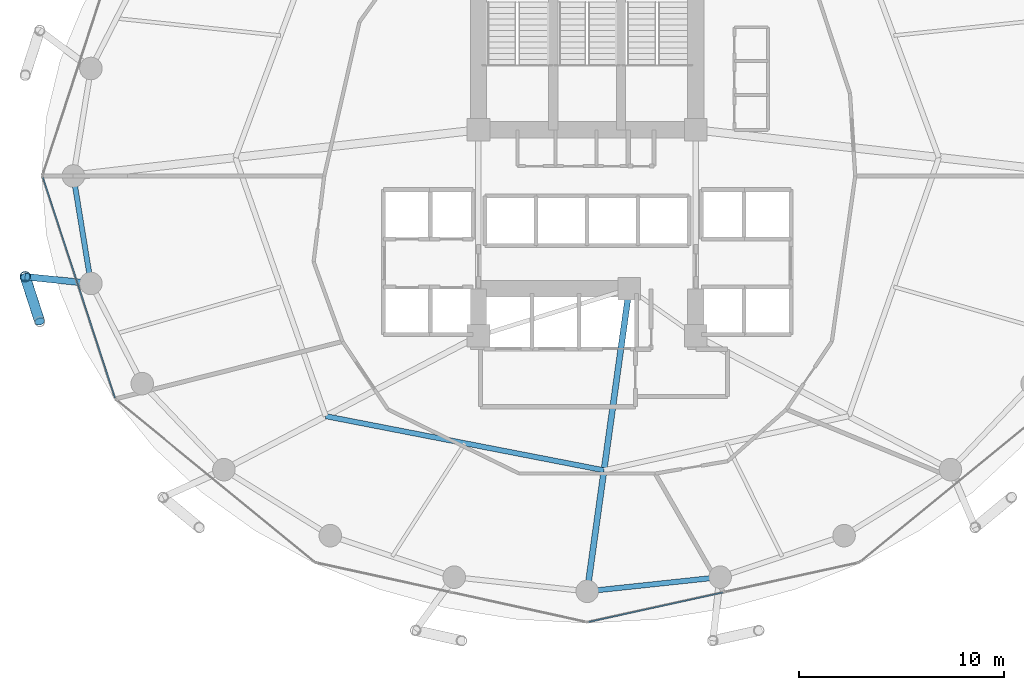
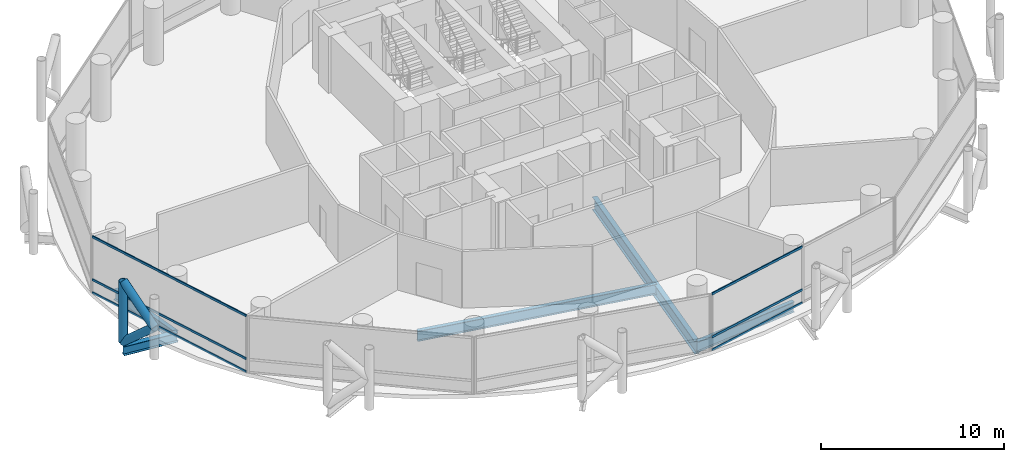
# One storey, part 5 of 24: 9 members, 5 beams, 2 elements without a shape of their own.
"""IFC4 building model written with IfcOpenShell, lengths in metres."""

from ifc_helpers import new_model, si_unit, direction, frame, origin, origin_2d, place, context, subcontext, project, spatial, hollow_rectangle, hollow_circle, i_section, extrude, material, layer, layer_set, material_profile, profile_set, type_object, element, aggregate, save


model = new_model("IFC4")

# Units and contexts
model_context = context("Model", 3, precision=1e-05, world=origin(), true_north=direction((0.0, 1.0)))
body_context = subcontext(model_context, "Body", "Model", "MODEL_VIEW")
ifc_project = project(units=[si_unit("LENGTHUNIT", "METRE"), si_unit("AREAUNIT", "SQUARE_METRE"), si_unit("VOLUMEUNIT", "CUBIC_METRE"), si_unit("PLANEANGLEUNIT", "RADIAN"), si_unit("MASSUNIT", "GRAM", prefix="KILO")], contexts=[model_context])

# Site, building, storey
site_placement = place(None, origin())
site = spatial("IfcSite", under=ifc_project, at=site_placement, CompositionType="ELEMENT")
building_placement = place(site_placement, origin())
building = spatial("IfcBuilding", under=site, at=building_placement, Name="Nuhasar Tower", CompositionType="ELEMENT")
storey_placement = place(building_placement, frame((0.0, 0.0, 25.050048828125)))
storey = spatial("IfcBuildingStorey", under=building, at=storey_placement, Name="L05", CompositionType="ELEMENT", Elevation=25.050048828125)

# Beams
ifc_material_1 = material(Name="Steel S355", Category="steel")
ifc_material_profile_1 = material_profile(ifc_material_1, i_section(OverallWidth=0.25390625, OverallDepth=0.68408203125, WebThickness=0.012451171875, FlangeThickness=0.018798828125, at=origin_2d()), Name="W27X94")
ifc_profile_set_1 = profile_set([ifc_material_profile_1], Name="Steel S355")
beam_type_1 = type_object("IfcBeamType", Name="BM-INRING-W27X94", PredefinedType="BEAM", material=ifc_profile_set_1)
beam_1_placement = place(storey_placement, frame((26.251953125, 15.089111328125, -0.60205078125), z_axis=(0.981602977761, -0.190933480695, 0.0), x_axis=(0.190933480695, 0.981602977761, 0.0)))
element("IfcBeam", 1, at=beam_1_placement, inside=storey, type_object=beam_type_1, Name="L05 Inner Header Beam 01", PredefinedType="BEAM", context=body_context, shape_type="SweptSolid", body=[
    extrude(i_section(OverallWidth=0.25390625, OverallDepth=0.68408203125, WebThickness=0.012451171875, FlangeThickness=0.018798828125, at=origin_2d()), origin(), (0.0, 0.0, 1.0), 13.822509765625),
])
ifc_material_profile_2 = material_profile(ifc_material_1, i_section(OverallWidth=0.2919921875, OverallDepth=0.85888671875, WebThickness=0.01708984375, FlangeThickness=0.031005859375, at=origin_2d()), Name="W33X169")
ifc_profile_set_2 = profile_set([ifc_material_profile_2], Name="Steel S355")
beam_type_2 = type_object("IfcBeamType", Name="BM-POD-W33X169", PredefinedType="BEAM", material=ifc_profile_set_2)
beam_2_placement = place(storey_placement, frame((41.050048828125, 21.300048828125, -0.68994140625), z_axis=(-0.137663087856, -0.990479113481, 0.0), x_axis=(0.990479113481, -0.137663087856, 0.0)))
element("IfcBeam", 2, at=beam_2_placement, inside=storey, type_object=beam_type_2, Name="L05 Radial Floor Girder 02", PredefinedType="BEAM", context=body_context, shape_type="SweptSolid", body=[
    extrude(i_section(OverallWidth=0.2919921875, OverallDepth=0.85888671875, WebThickness=0.01708984375, FlangeThickness=0.031005859375, at=origin_2d()), origin(), (0.0, 0.0, 1.0), 14.891845703125),
])
ifc_material_profile_3 = material_profile(ifc_material_1, i_section(OverallWidth=0.256103515625, OverallDepth=0.693115234375, WebThickness=0.014404296875, FlangeThickness=0.023681640625, at=origin_2d()), Name="W27X114")
ifc_profile_set_3 = profile_set([ifc_material_profile_3], Name="Steel S355")
beam_type_3 = type_object("IfcBeamType", Name="BM-RING-W27X114", PredefinedType="SPANDREL", material=ifc_profile_set_3)
beam_3_placement = place(storey_placement, frame((13.949951171875, 26.800048828125, -0.60595703125), z_axis=(0.160826635486, -0.986982671235, 0.0), x_axis=(0.986982671235, 0.160826635486, 0.0)))
element("IfcBeam", 3, at=beam_3_placement, inside=storey, type_object=beam_type_3, Name="L05 Perimeter Ring Spandrel 13", PredefinedType="SPANDREL", context=body_context, shape_type="SweptSolid", body=[
    extrude(i_section(OverallWidth=0.256103515625, OverallDepth=0.693115234375, WebThickness=0.014404296875, FlangeThickness=0.023681640625, at=origin_2d()), origin(), (0.0, 0.0, 1.0), 5.31005859375),
])
beam_4_placement = place(storey_placement, frame((39.0, 6.550048828125, -0.60595703125), z_axis=(0.994384554061, 0.105827022286, 0.0), x_axis=(-0.105827022286, 0.994384554061, 0.0)))
element("IfcBeam", 4, at=beam_4_placement, inside=storey, type_object=beam_type_3, Name="L05 Perimeter Ring Spandrel 19", PredefinedType="SPANDREL", context=body_context, shape_type="SweptSolid", body=[
    extrude(i_section(OverallWidth=0.256103515625, OverallDepth=0.693115234375, WebThickness=0.014404296875, FlangeThickness=0.023681640625, at=origin_2d()), origin(), (0.0, 0.0, 1.0), 6.51953125),
])
ifc_material_profile_4 = material_profile(ifc_material_1, i_section(OverallWidth=0.323974609375, OverallDepth=0.611083984375, WebThickness=0.0126953125, FlangeThickness=0.01904296875, at=origin_2d()), Name="W24X104")
ifc_profile_set_4 = profile_set([ifc_material_profile_4], Name="Steel S355")
beam_type_4 = type_object("IfcBeamType", Name="BM-TIE-W24X104", PredefinedType="BEAM", material=ifc_profile_set_4)
beam_5_placement = place(storey_placement, frame((14.803955078125, 21.55908203125, -0.56494140625), z_axis=(-0.994711572359, 0.102707778751, 0.0), x_axis=(-0.102707778751, -0.994711572359, 0.0)))
element("IfcBeam", 5, at=beam_5_placement, inside=storey, type_object=beam_type_4, Name="L05 Exoskeleton Node Tie Beam 07", PredefinedType="BEAM", context=body_context, shape_type="SweptSolid", body=[
    extrude(i_section(OverallWidth=0.323974609375, OverallDepth=0.611083984375, WebThickness=0.0126953125, FlangeThickness=0.01904296875, at=origin_2d()), origin(), (0.0, 0.0, 1.0), 3.220947265625),
])

# Curtain wall, members
ifc_material_2 = material(Name="Aluminium 6063-T6", Category="aluminium")
ifc_layer = layer(ifc_material_2, 0.199951171875)
ifc_layer_set = layer_set([ifc_layer], Name="Aluminium 6063-T6")
curtain_wall_type = type_object("IfcCurtainWallType", Name="CW-Z1-OFF", PredefinedType="NOTDEFINED", material=ifc_layer_set)
curtain_wall_1_placement = place(storey_placement, origin())
curtain_wall_1 = element("IfcCurtainWall", 6, at=curtain_wall_1_placement, inside=storey, type_object=curtain_wall_type, Name="L05 Unitised Curtain Wall 07", PredefinedType="NOTDEFINED")
ifc_material_profile_5 = material_profile(ifc_material_2, hollow_rectangle(XDim=0.06494140625, YDim=0.14990234375, WallThickness=0.00439453125, at=origin_2d()), Name="CWT-2")
ifc_profile_set_5 = profile_set([ifc_material_profile_5], Name="Aluminium 6063-T6")
member_type_1 = type_object("IfcMemberType", Name="CW-TRN-S2", PredefinedType="USERDEFINED", material=ifc_profile_set_5)
member_1_placement = place(storey_placement, frame((12.460205078125, 26.73828125, 0.032470703125), z_axis=(0.310818687697, -0.950469222741, 0.0), x_axis=(0.950469222741, 0.310818687697, 0.0)))
member_1 = element("IfcMember", 7, at=member_1_placement, type_object=member_type_1, Name="CW-Z1 transom 1.1", ObjectType="TRANSOM", PredefinedType="USERDEFINED", context=body_context, shape_type="SweptSolid", body=[
    extrude(hollow_rectangle(XDim=0.06494140625, YDim=0.14990234375, WallThickness=0.00439453125, at=origin_2d()), origin(), (0.0, 0.0, 1.0), 11.317138671875),
])
member_2_placement = place(storey_placement, frame((12.460205078125, 26.73828125, 0.89990234375), z_axis=(0.310818687697, -0.950469222741, 0.0), x_axis=(0.950469222741, 0.310818687697, 0.0)))
member_2 = element("IfcMember", 8, at=member_2_placement, type_object=member_type_1, Name="CW-Z1 transom 1.2", ObjectType="TRANSOM", PredefinedType="USERDEFINED", context=body_context, shape_type="SweptSolid", body=[
    extrude(hollow_rectangle(XDim=0.06494140625, YDim=0.14990234375, WallThickness=0.00439453125, at=origin_2d()), origin(), (0.0, 0.0, 1.0), 11.317138671875),
])
member_3_placement = place(storey_placement, frame((12.460205078125, 26.73828125, 3.757568359375), z_axis=(0.310818687697, -0.950469222741, 0.0), x_axis=(0.950469222741, 0.310818687697, 0.0)))
member_3 = element("IfcMember", 9, at=member_3_placement, type_object=member_type_1, Name="CW-Z1 transom 1.3", ObjectType="TRANSOM", PredefinedType="USERDEFINED", context=body_context, shape_type="SweptSolid", body=[
    extrude(hollow_rectangle(XDim=0.06494140625, YDim=0.14990234375, WallThickness=0.00439453125, at=origin_2d()), origin(), (0.0, 0.0, 1.0), 11.317138671875),
])
aggregate(curtain_wall_1, [member_1, member_2, member_3])

curtain_wall_2_placement = place(storey_placement, origin())
curtain_wall_2 = element("IfcCurtainWall", 10, at=curtain_wall_2_placement, inside=storey, type_object=curtain_wall_type, Name="L05 Unitised Curtain Wall 10", PredefinedType="NOTDEFINED")
member_4_placement = place(storey_placement, frame((39.0634765625, 5.053955078125, 0.032470703125), z_axis=(0.976747879138, 0.214391185916, 0.0), x_axis=(-0.214391185916, 0.976747879138, 0.0)))
member_4 = element("IfcMember", 11, at=member_4_placement, type_object=member_type_1, Name="CW-Z1 transom 1.1", ObjectType="TRANSOM", PredefinedType="USERDEFINED", context=body_context, shape_type="SweptSolid", body=[
    extrude(hollow_rectangle(XDim=0.06494140625, YDim=0.14990234375, WallThickness=0.00439453125, at=origin_2d()), origin(), (0.0, 0.0, 1.0), 6.700439453125),
])
member_5_placement = place(storey_placement, frame((39.0634765625, 5.053955078125, 0.89990234375), z_axis=(0.976747879138, 0.214391185916, 0.0), x_axis=(-0.214391185916, 0.976747879138, 0.0)))
member_5 = element("IfcMember", 12, at=member_5_placement, type_object=member_type_1, Name="CW-Z1 transom 1.2", ObjectType="TRANSOM", PredefinedType="USERDEFINED", context=body_context, shape_type="SweptSolid", body=[
    extrude(hollow_rectangle(XDim=0.06494140625, YDim=0.14990234375, WallThickness=0.00439453125, at=origin_2d()), origin(), (0.0, 0.0, 1.0), 6.700439453125),
])
member_6_placement = place(storey_placement, frame((39.0634765625, 5.053955078125, 3.757568359375), z_axis=(0.976747879138, 0.214391185916, 0.0), x_axis=(-0.214391185916, 0.976747879138, 0.0)))
member_6 = element("IfcMember", 13, at=member_6_placement, type_object=member_type_1, Name="CW-Z1 transom 1.3", ObjectType="TRANSOM", PredefinedType="USERDEFINED", context=body_context, shape_type="SweptSolid", body=[
    extrude(hollow_rectangle(XDim=0.06494140625, YDim=0.14990234375, WallThickness=0.00439453125, at=origin_2d()), origin(), (0.0, 0.0, 1.0), 6.700439453125),
])
aggregate(curtain_wall_2, [member_4, member_5, member_6])

# Members
ifc_material_3 = material(Name="Steel S460", Category="steel")
ifc_material_profile_6 = material_profile(ifc_material_3, hollow_circle(Radius=0.25390625, WallThickness=0.025390625, at=origin_2d()), Name="HSS508X25.4")
ifc_profile_set_6 = profile_set([ifc_material_profile_6], Name="Steel S460")
member_type_2 = type_object("IfcMemberType", Name="EXO-BRONZE-508", PredefinedType="BRACE", material=ifc_profile_set_6)
member_7_placement = place(storey_placement, frame((11.60009765625, 21.889892578125, 0.0), z_axis=(0.0, 0.0, 1.0), x_axis=(1.0, 0.0, 0.0)))
element("IfcMember", 14, at=member_7_placement, inside=storey, type_object=member_type_2, Name="L05 Exoskeleton Chord Column EC-07A", PredefinedType="BRACE", context=body_context, shape_type="SweptSolid", body=[
    extrude(hollow_circle(Radius=0.25390625, WallThickness=0.025390625, at=origin_2d()), origin(), (0.0, 0.0, 1.0), 4.050048828125),
])
member_8_placement = place(storey_placement, frame((11.60009765625, 21.889892578125, 0.0), z_axis=(0.231011836313, -0.714224870475, 0.660693851854), x_axis=(0.951468282519, 0.307746823478, 0.0)))
element("IfcMember", 15, at=member_8_placement, inside=storey, type_object=member_type_2, Name="L05 Bronze Diagrid Brace W1-07", PredefinedType="BRACE", context=body_context, shape_type="SweptSolid", body=[
    extrude(hollow_circle(Radius=0.25390625, WallThickness=0.025390625, at=origin_2d()), origin(), (0.0, 0.0, 1.0), 3.064697265625),
])
member_9_placement = place(storey_placement, frame((12.30810546875, 19.700927734375, 2.02490234375), z_axis=(-0.230999678299, 0.714187281251, 0.660738734997), x_axis=(-0.951468282519, -0.307746823478, 0.0)))
element("IfcMember", 16, at=member_9_placement, inside=storey, type_object=member_type_2, Name="L05 Bronze Diagrid Brace W2-07", PredefinedType="BRACE", context=body_context, shape_type="SweptSolid", body=[
    extrude(hollow_circle(Radius=0.25390625, WallThickness=0.025390625, at=origin_2d()), origin(), (0.0, 0.0, 1.0), 3.06494140625),
])

save(model, "model.ifc")
